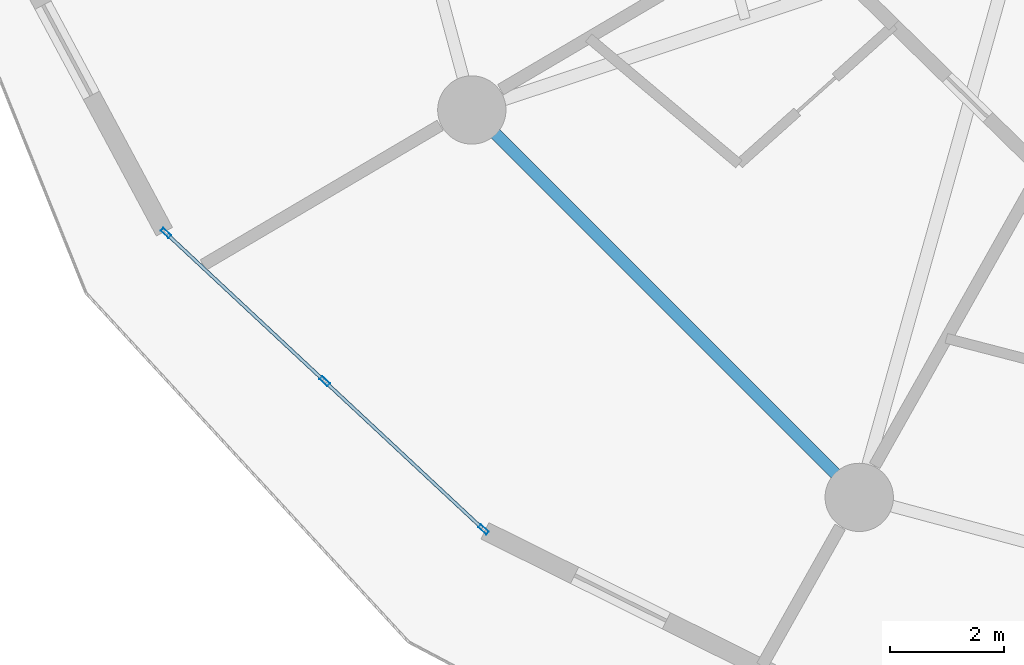
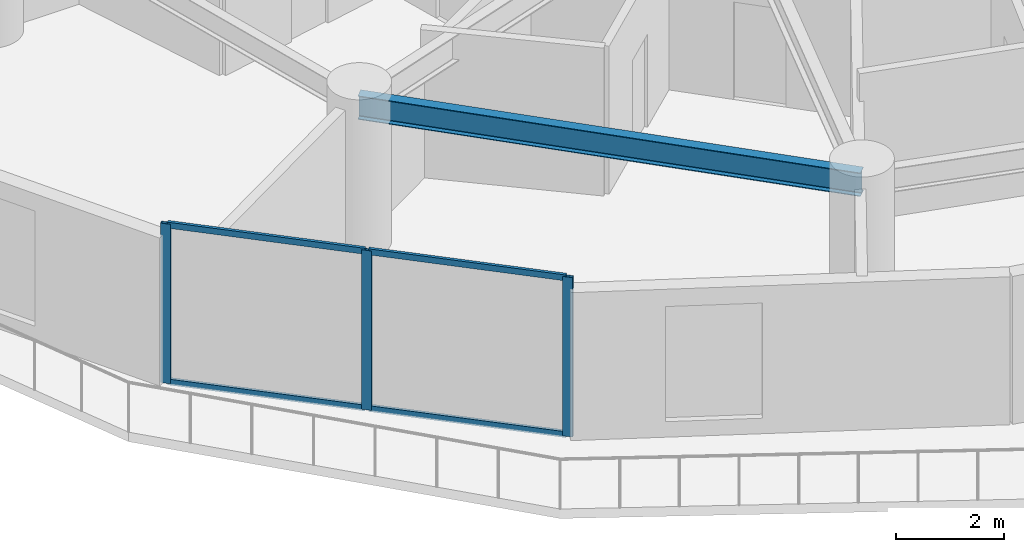
# One storey, part 2 of 26: 7 members, 1 beam, 1 element without a shape of its own.
"""IFC4 building model written with IfcOpenShell, lengths in metres."""

from ifc_helpers import new_model, si_unit, direction, frame, origin, origin_2d, place, context, subcontext, project, spatial, hollow_rectangle, i_section, extrude, source, transform, mapped, material, layer, layer_set, material_profile, profile_set, type_object, element, aggregate, save


model = new_model("IFC4")

# Units and contexts
model_context = context("Model", 3, precision=1e-05, world=origin(), true_north=direction((0.0, 1.0)))
body_context = subcontext(model_context, "Body", "Model", "MODEL_VIEW")
ifc_project = project(units=[si_unit("LENGTHUNIT", "METRE"), si_unit("AREAUNIT", "SQUARE_METRE"), si_unit("VOLUMEUNIT", "CUBIC_METRE"), si_unit("PLANEANGLEUNIT", "RADIAN"), si_unit("MASSUNIT", "GRAM", prefix="KILO")], contexts=[model_context])

# Site, building, storey
site_placement = place(None, origin())
site = spatial("IfcSite", under=ifc_project, at=site_placement, CompositionType="ELEMENT")
building_placement = place(site_placement, origin())
building = spatial("IfcBuilding", under=site, at=building_placement, Name="Solvirekh Grand Hotel", CompositionType="ELEMENT")
storey_placement = place(building_placement, frame((0.0, 0.0, 32.0)))
storey = spatial("IfcBuildingStorey", under=building, at=storey_placement, Name="L06", CompositionType="ELEMENT", Elevation=32.0)

# Beam
ifc_material_1 = material(Name="Steel S355", Category="steel")
ifc_material_profile_1 = material_profile(ifc_material_1, i_section(OverallWidth=0.208984375, OverallDepth=0.532958984375, WebThickness=0.010009765625, FlangeThickness=0.014892578125, FilletRadius=0.013916015625, at=origin_2d()), Name="W530X92")
ifc_profile_set_1 = profile_set([ifc_material_profile_1], Name="Steel S355")
beam_type = type_object("IfcBeamType", Name="Spandrel_Ring_W530", PredefinedType="SPANDREL", material=ifc_profile_set_1)
beam_placement = place(storey_placement, frame((-16.10791015625, -9.300048828125, 3.073974609375), z_axis=(0.707106781187, -0.707106781187, 0.0), x_axis=(0.707106781187, 0.707106781187, 0.0)))
element("IfcBeam", 1, at=beam_placement, inside=storey, type_object=beam_type, Name="L06 perimeter spandrel beam 8", PredefinedType="SPANDREL", context=body_context, shape_type="SweptSolid", body=[
    extrude(i_section(OverallWidth=0.208984375, OverallDepth=0.532958984375, WebThickness=0.010009765625, FlangeThickness=0.014892578125, FilletRadius=0.013916015625, at=origin_2d()), origin(), (0.0, 0.0, 1.0), 9.627685546875),
])

# Curtain wall, members
ifc_material_2 = material(Name="Anodized Bronze Aluminium 6063-T6", Category="aluminium")
ifc_layer = layer(ifc_material_2, 0.18994140625)
ifc_layer_set = layer_set([ifc_layer], Name="Anodized Bronze Aluminium 6063-T6")
curtain_wall_type = type_object("IfcCurtainWallType", Name="CW_Sys2_LowZoneFlushBronzeCW", PredefinedType="NOTDEFINED", material=ifc_layer_set)
curtain_wall_placement = place(storey_placement, origin())
curtain_wall = element("IfcCurtainWall", 2, at=curtain_wall_placement, inside=storey, type_object=curtain_wall_type, Name="L06 unitised bronze-glass curtain wall CW-L06-C13", PredefinedType="NOTDEFINED")
ifc_material_profile_2 = material_profile(ifc_material_2, hollow_rectangle(XDim=0.070068359375, YDim=0.18994140625, WallThickness=0.0048828125, at=origin_2d()), Name="ALU RHS 190X70X5")
ifc_profile_set_2 = profile_set([ifc_material_profile_2], Name="Anodized Bronze Aluminium 6063-T6")
member_type_1 = type_object("IfcMemberType", Name="CWMullion_Sys2", PredefinedType="MULLION", material=ifc_profile_set_2)
shared_shape_1 = source(origin(), body_context, "Body", "SweptSolid", [
    extrude(hollow_rectangle(XDim=0.070068359375, YDim=0.18994140625, WallThickness=0.0048828125, at=origin_2d()), origin(), (0.0, 0.0, 1.0), 3.60009765625),
])
member_1_placement = place(storey_placement, frame((-21.484375, -11.462890625, 0.0), z_axis=(0.0, 0.0, 1.0), x_axis=(0.682285880223, 0.73108547903, 0.0)))
member_1 = element("IfcMember", 3, at=member_1_placement, type_object=member_type_1, Name="U02 mullion 1", PredefinedType="MULLION", context=body_context, shape_type="MappedRepresentation", body=[
    mapped(shared_shape_1, transform((0.0, 0.0, 0.0), x_axis=(1.0, 0.0, 0.0), y_axis=(0.0, 1.0, 0.0), z_axis=(0.0, 0.0, 1.0), scale=1.0)),
])
member_2_placement = place(storey_placement, frame((-18.693603515625, -14.0673828125, 0.0), z_axis=(0.0, 0.0, 1.0), x_axis=(0.682285880223, 0.73108547903, 0.0)))
member_2 = element("IfcMember", 4, at=member_2_placement, type_object=member_type_1, Name="U02 mullion 2", PredefinedType="MULLION", context=body_context, shape_type="MappedRepresentation", body=[
    mapped(shared_shape_1, transform((0.0, 0.0, 0.0), x_axis=(1.0, 0.0, 0.0), y_axis=(0.0, 1.0, 0.0), z_axis=(0.0, 0.0, 1.0), scale=1.0)),
])
member_3_placement = place(storey_placement, frame((-15.902587890625, -16.672119140625, 0.0), z_axis=(0.0, 0.0, 1.0), x_axis=(0.682285880223, 0.73108547903, 0.0)))
member_3 = element("IfcMember", 5, at=member_3_placement, type_object=member_type_1, Name="U02 mullion 3", PredefinedType="MULLION", context=body_context, shape_type="MappedRepresentation", body=[
    mapped(shared_shape_1, transform((0.0, 0.0, 0.0), x_axis=(1.0, 0.0, 0.0), y_axis=(0.0, 1.0, 0.0), z_axis=(0.0, 0.0, 1.0), scale=1.0)),
])
ifc_material_profile_3 = material_profile(ifc_material_2, hollow_rectangle(XDim=0.06005859375, YDim=0.135009765625, WallThickness=0.00390625, at=origin_2d()), Name="ALU RHS 135X60X4")
ifc_profile_set_3 = profile_set([ifc_material_profile_3], Name="Anodized Bronze Aluminium 6063-T6")
member_type_2 = type_object("IfcMemberType", Name="CWTransom_Sys2", PredefinedType="USERDEFINED", material=ifc_profile_set_3)
shared_shape_2 = source(origin(), body_context, "Body", "SweptSolid", [
    extrude(hollow_rectangle(XDim=0.06005859375, YDim=0.135009765625, WallThickness=0.00390625, at=origin_2d()), origin(), (0.0, 0.0, 1.0), 3.74755859375),
])
member_4_placement = place(storey_placement, frame((-21.458740234375, -11.48681640625, 0.030029296875), z_axis=(0.731083431078, -0.682288074646, 0.0), x_axis=(0.682288074646, 0.731083431078, 0.0)))
member_4 = element("IfcMember", 6, at=member_4_placement, type_object=member_type_2, Name="U02 transom 1.1", ObjectType="TRANSOM", PredefinedType="USERDEFINED", context=body_context, shape_type="MappedRepresentation", body=[
    mapped(shared_shape_2, transform((0.0, 0.0, 0.0), x_axis=(1.0, 0.0, 0.0), y_axis=(0.0, 1.0, 0.0), z_axis=(0.0, 0.0, 1.0), scale=1.0)),
])
member_5_placement = place(storey_placement, frame((-21.458740234375, -11.48681640625, 3.570068359375), z_axis=(0.731083431078, -0.682288074646, 0.0), x_axis=(0.682288074646, 0.731083431078, 0.0)))
member_5 = element("IfcMember", 7, at=member_5_placement, type_object=member_type_2, Name="U02 transom 1.2", ObjectType="TRANSOM", PredefinedType="USERDEFINED", context=body_context, shape_type="MappedRepresentation", body=[
    mapped(shared_shape_2, transform((0.0, 0.0, 0.0), x_axis=(1.0, 0.0, 0.0), y_axis=(0.0, 1.0, 0.0), z_axis=(0.0, 0.0, 1.0), scale=1.0)),
])
member_6_placement = place(storey_placement, frame((-18.66796875, -14.09130859375, 0.030029296875), z_axis=(0.731083431078, -0.682288074646, 0.0), x_axis=(0.682288074646, 0.731083431078, 0.0)))
member_6 = element("IfcMember", 8, at=member_6_placement, type_object=member_type_2, Name="U02 transom 2.1", ObjectType="TRANSOM", PredefinedType="USERDEFINED", context=body_context, shape_type="MappedRepresentation", body=[
    mapped(shared_shape_2, transform((0.0, 0.0, 0.0), x_axis=(1.0, 0.0, 0.0), y_axis=(0.0, 1.0, 0.0), z_axis=(0.0, 0.0, 1.0), scale=1.0)),
])
member_7_placement = place(storey_placement, frame((-18.66796875, -14.09130859375, 3.570068359375), z_axis=(0.731083431078, -0.682288074646, 0.0), x_axis=(0.682288074646, 0.731083431078, 0.0)))
member_7 = element("IfcMember", 9, at=member_7_placement, type_object=member_type_2, Name="U02 transom 2.2", ObjectType="TRANSOM", PredefinedType="USERDEFINED", context=body_context, shape_type="MappedRepresentation", body=[
    mapped(shared_shape_2, transform((0.0, 0.0, 0.0), x_axis=(1.0, 0.0, 0.0), y_axis=(0.0, 1.0, 0.0), z_axis=(0.0, 0.0, 1.0), scale=1.0)),
])
aggregate(curtain_wall, [member_1, member_2, member_3, member_4, member_5, member_6, member_7])

save(model, "model.ifc")
